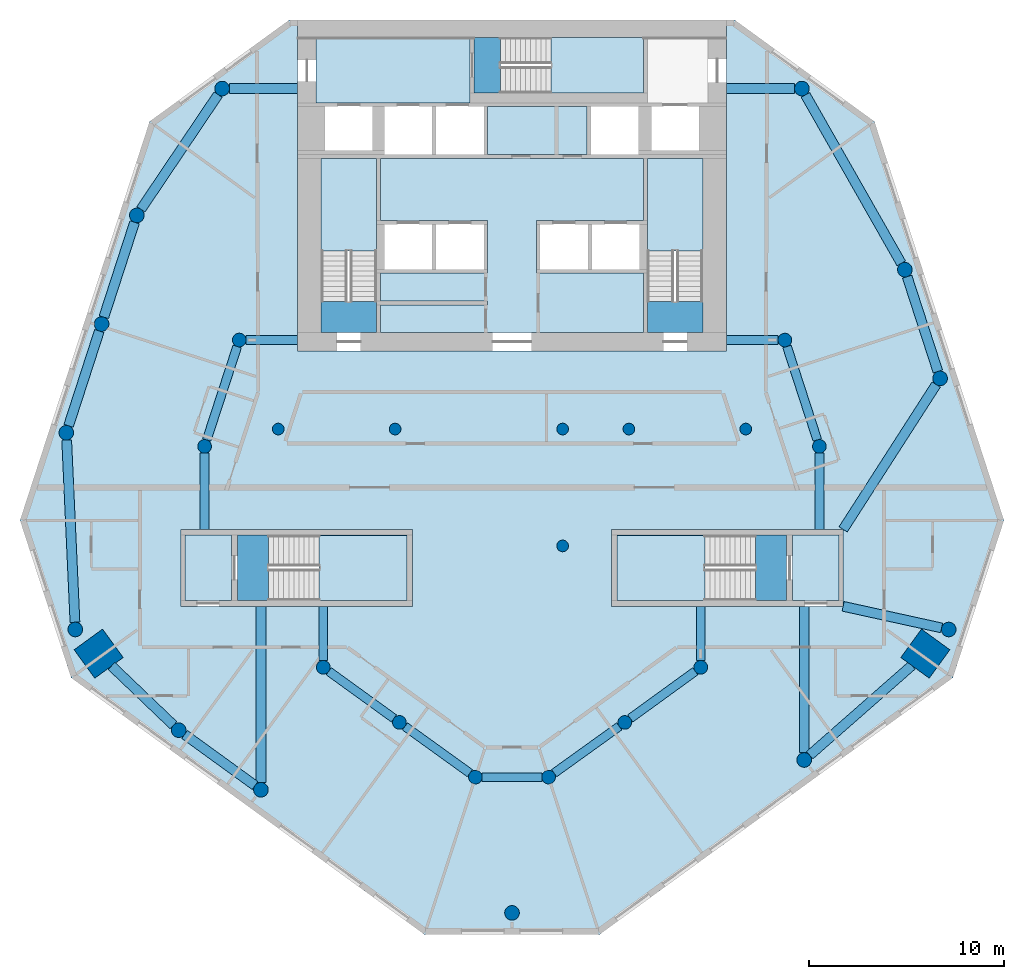
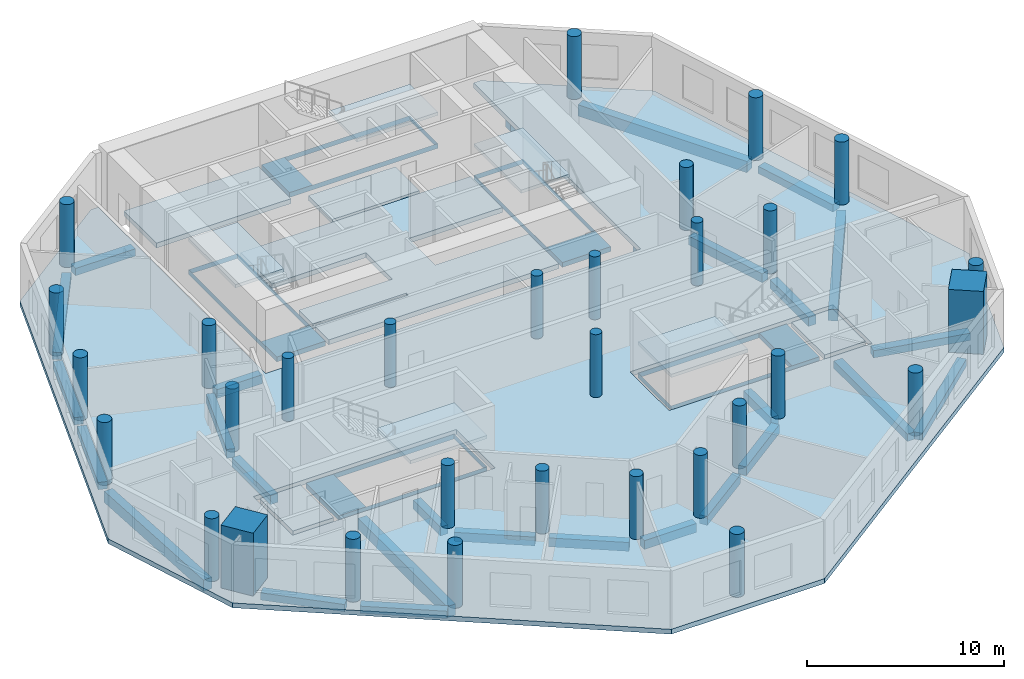
# One storey, part 1 of 9: 31 columns, 28 beams, 16 slabs, 5 elements without a shape of their own.
"""IFC4 building model written with IfcOpenShell, lengths in metres."""

from ifc_helpers import new_model, si_unit, direction, frame, origin, origin_2d, place, context, subcontext, project, spatial, polyline, rectangle, circle, outline, extrude, material, layer, layer_set, material_profile, profile_set, type_object, element, aggregate, save


model = new_model("IFC4")

# Units and contexts
model_context = context("Model", 3, precision=1e-05, world=origin(), true_north=direction((0.0, 1.0)))
body_context = subcontext(model_context, "Body", "Model", "MODEL_VIEW")
ifc_project = project(units=[si_unit("LENGTHUNIT", "METRE"), si_unit("AREAUNIT", "SQUARE_METRE"), si_unit("VOLUMEUNIT", "CUBIC_METRE"), si_unit("PLANEANGLEUNIT", "RADIAN"), si_unit("MASSUNIT", "GRAM", prefix="KILO")], contexts=[model_context])

# Site, building, storey
site_placement = place(None, origin())
site = spatial("IfcSite", under=ifc_project, at=site_placement, CompositionType="ELEMENT")
building_placement = place(site_placement, origin())
building = spatial("IfcBuilding", under=site, at=building_placement, Name="White Candle Pilgrim Tower", CompositionType="ELEMENT")
storey_placement = place(building_placement, frame((0.0, 0.0, 175.89990234375)))
storey = spatial("IfcBuildingStorey", under=building, at=storey_placement, Name="L40", CompositionType="ELEMENT", Elevation=175.89990234375)

# Columns
ifc_material_1 = material(Name="Concrete C70/85", Category="concrete")
ifc_material_profile_1 = material_profile(ifc_material_1, circle(Radius=0.300048828125, at=origin_2d()), Name="RC-COL D600")
ifc_profile_set_1 = profile_set([ifc_material_profile_1], Name="Concrete C70/85")
column_type_1 = type_object("IfcColumnType", Name="Interior column RC-COL D600 C70/85", PredefinedType="COLUMN", material=ifc_profile_set_1)
for number, where, z_axis, x_axis, name in (
    (1, (58.0, 67.0, 0.0), (0.0, 0.0, 1.0), (1.0, 0.0, 0.0), "L40 column I01"),
    (2, (64.0, 67.0, 0.0), (0.0, 0.0, 1.0), (1.0, 0.0, 0.0), "L40 column I02"),
    (3, (72.60009765625, 61.0, 0.0), (0.0, 0.0, 1.0), (1.0, 0.0, 0.0), "L40 column I03"),
    (4, (72.60009765625, 67.0, 0.0), (0.0, 0.0, 1.0), (1.0, 0.0, 0.0), "L40 column I04"),
    (5, (76.0, 67.0, 0.0), (0.0, 0.0, 1.0), (1.0, 0.0, 0.0), "L40 column I05"),
    (6, (82.0, 67.0, 0.0), (0.0, 0.0, 1.0), (1.0, 0.0, 0.0), "L40 column I06"),
):
    element("IfcColumn", number, at=place(storey_placement, frame(where, z_axis=z_axis, x_axis=x_axis)), inside=storey, type_object=column_type_1, Name=name, PredefinedType="COLUMN", context=body_context, shape_type="SweptSolid", body=[
        extrude(circle(Radius=0.300048828125, at=origin_2d()), origin(), (0.0, 0.0, 1.0), 3.900146484375),
    ])
ifc_material_profile_2 = material_profile(ifc_material_1, rectangle(XDim=1.800048828125, YDim=1.800048828125, at=origin_2d()), Name="RC 1800x1800")
ifc_profile_set_2 = profile_set([ifc_material_profile_2], Name="Concrete C70/85")
column_type_2 = type_object("IfcColumnType", Name="Mega column RC 1800x1800 C70/85", PredefinedType="COLUMN", material=ifc_profile_set_2)
for number, where, z_axis, x_axis, name in (
    (7, (48.780029296875, 55.469970703125, 0.0), (0.0, 0.0, 1.0), (-0.809016994375, -0.587785252292, 0.0), "L40 mega column T02"),
    (8, (91.219970703125, 55.469970703125, 0.0), (0.0, 0.0, 1.0), (0.809016994375, -0.587785252292, 0.0), "L40 mega column T07"),
):
    element("IfcColumn", number, at=place(storey_placement, frame(where, z_axis=z_axis, x_axis=x_axis)), inside=storey, type_object=column_type_2, Name=name, PredefinedType="COLUMN", context=body_context, shape_type="SweptSolid", body=[
        extrude(rectangle(XDim=1.800048828125, YDim=1.800048828125, at=origin_2d()), origin(), (0.0, 0.0, 1.0), 3.900146484375),
    ])
ifc_material_profile_3 = material_profile(ifc_material_1, circle(Radius=0.375, at=origin_2d()), Name="RC-COL D750")
ifc_profile_set_3 = profile_set([ifc_material_profile_3], Name="Concrete C70/85")
column_type_3 = type_object("IfcColumnType", Name="Perimeter column RC-COL D750 C70/85", PredefinedType="COLUMN", material=ifc_profile_set_3)
for number, where, z_axis, x_axis, name in (
    (9, (47.580078125, 56.7099609375, 0.0), (0.0, 0.0, 1.0), (1.0, 0.0, 0.0), "L40 column T01"),
    (10, (52.889892578125, 51.5400390625, 0.0), (0.0, 0.0, 1.0), (1.0, 0.0, 0.0), "L40 column T03"),
    (11, (57.110107421875, 48.47998046875, 0.0), (0.0, 0.0, 1.0), (1.0, 0.0, 0.0), "L40 column T04"),
    (12, (70.0, 42.159912109375, 0.0), (0.0, 0.0, 1.0), (1.0, 0.0, 0.0), "L40 column T05"),
    (13, (85.0, 50.010009765625, 0.0), (0.0, 0.0, 1.0), (1.0, 0.0, 0.0), "L40 column T06"),
    (14, (92.419921875, 56.7099609375, 0.0), (0.0, 0.0, 1.0), (1.0, 0.0, 0.0), "L40 column T08"),
    (15, (91.97998046875, 69.60009765625, 0.0), (0.0, 0.0, 1.0), (1.0, 0.0, 0.0), "L40 column T09"),
    (16, (90.169921875, 75.179931640625, 0.0), (0.0, 0.0, 1.0), (1.0, 0.0, 0.0), "L40 column T10"),
    (17, (84.8798828125, 84.47998046875, 0.0), (0.0, 0.0, 1.0), (1.0, 0.0, 0.0), "L40 column T11"),
    (18, (55.1201171875, 84.47998046875, 0.0), (0.0, 0.0, 1.0), (1.0, 0.0, 0.0), "L40 column T12"),
    (19, (50.739990234375, 77.969970703125, 0.0), (0.0, 0.0, 1.0), (1.0, 0.0, 0.0), "L40 column T13"),
    (20, (48.929931640625, 72.389892578125, 0.0), (0.0, 0.0, 1.0), (1.0, 0.0, 0.0), "L40 column T14"),
    (21, (47.1201171875, 66.81005859375, 0.0), (0.0, 0.0, 1.0), (1.0, 0.0, 0.0), "L40 column T15"),
):
    element("IfcColumn", number, at=place(storey_placement, frame(where, z_axis=z_axis, x_axis=x_axis)), inside=storey, type_object=column_type_3, Name=name, PredefinedType="COLUMN", context=body_context, shape_type="SweptSolid", body=[
        extrude(circle(Radius=0.375, at=origin_2d()), origin(), (0.0, 0.0, 1.0), 3.900146484375),
    ])
ifc_material_profile_4 = material_profile(ifc_material_1, circle(Radius=0.35009765625, at=origin_2d()), Name="RC-COL D700")
ifc_profile_set_4 = profile_set([ifc_material_profile_4], Name="Concrete C70/85")
column_type_4 = type_object("IfcColumnType", Name="Ring column RC-COL D700 C70/85", PredefinedType="COLUMN", material=ifc_profile_set_4)
for number, where, z_axis, x_axis, name in (
    (22, (60.31005859375, 54.77001953125, 0.0), (0.0, 0.0, 1.0), (1.0, 0.0, 0.0), "L40 column R01"),
    (23, (64.219970703125, 51.93994140625, 0.0), (0.0, 0.0, 1.0), (1.0, 0.0, 0.0), "L40 column R02"),
    (24, (68.1201171875, 49.1298828125, 0.0), (0.0, 0.0, 1.0), (1.0, 0.0, 0.0), "L40 column R03"),
    (25, (71.8798828125, 49.1298828125, 0.0), (0.0, 0.0, 1.0), (1.0, 0.0, 0.0), "L40 column R04"),
    (26, (75.7900390625, 51.93994140625, 0.0), (0.0, 0.0, 1.0), (1.0, 0.0, 0.0), "L40 column R05"),
    (27, (79.68994140625, 54.77001953125, 0.0), (0.0, 0.0, 1.0), (1.0, 0.0, 0.0), "L40 column R06"),
    (28, (85.780029296875, 66.110107421875, 0.0), (0.0, 0.0, 1.0), (1.0, 0.0, 0.0), "L40 column R07"),
    (29, (84.010009765625, 71.570068359375, 0.0), (0.0, 0.0, 1.0), (1.0, 0.0, 0.0), "L40 column R08"),
    (30, (56.0, 71.570068359375, 0.0), (0.0, 0.0, 1.0), (1.0, 0.0, 0.0), "L40 column R09"),
    (31, (54.219970703125, 66.110107421875, 0.0), (0.0, 0.0, 1.0), (1.0, 0.0, 0.0), "L40 column R10"),
):
    element("IfcColumn", number, at=place(storey_placement, frame(where, z_axis=z_axis, x_axis=x_axis)), inside=storey, type_object=column_type_4, Name=name, PredefinedType="COLUMN", context=body_context, shape_type="SweptSolid", body=[
        extrude(circle(Radius=0.35009765625, at=origin_2d()), origin(), (0.0, 0.0, 1.0), 3.900146484375),
    ])

# Beams
ifc_material_2 = material(Name="Concrete C50/60", Category="concrete")
ifc_material_profile_5 = material_profile(ifc_material_2, rectangle(XDim=0.449951171875, YDim=0.550048828125, at=origin_2d()), Name="RC-BM 450x550")
ifc_profile_set_5 = profile_set([ifc_material_profile_5], Name="Concrete C50/60")
beam_type_1 = type_object("IfcBeamType", Name="Ring beam RC-BM 450x550 C50/60", PredefinedType="BEAM", material=ifc_profile_set_5)
beam_1_placement = place(storey_placement, frame((60.593505859375, 54.56494140625, -0.574951171875), z_axis=(0.810043858436, -0.586369292691, 0.0), x_axis=(0.586369292691, 0.810043858436, 0.0)))
element("IfcBeam", 32, at=beam_1_placement, inside=storey, type_object=beam_type_1, Name="L40 ring beam R01", PredefinedType="BEAM", context=body_context, shape_type="SweptSolid", body=[
    extrude(rectangle(XDim=0.449951171875, YDim=0.550048828125, at=origin_2d()), origin(), (0.0, 0.0, 1.0), 4.126953125),
])
beam_2_placement = place(storey_placement, frame((64.50390625, 51.735595703125, -0.574951171875), z_axis=(0.811316688041, -0.584606903574, 0.0), x_axis=(0.584606903574, 0.811316688041, 0.0)))
element("IfcBeam", 33, at=beam_2_placement, inside=storey, type_object=beam_type_1, Name="L40 ring beam R02", PredefinedType="BEAM", context=body_context, shape_type="SweptSolid", body=[
    extrude(rectangle(XDim=0.449951171875, YDim=0.550048828125, at=origin_2d()), origin(), (0.0, 0.0, 1.0), 4.107177734375),
])
beam_3_placement = place(storey_placement, frame((68.469970703125, 49.1298828125, -0.574951171875), z_axis=(1.0, 0.0, 0.0), x_axis=(0.0, 1.0, 0.0)))
element("IfcBeam", 34, at=beam_3_placement, inside=storey, type_object=beam_type_1, Name="L40 ring beam R03", PredefinedType="BEAM", context=body_context, shape_type="SweptSolid", body=[
    extrude(rectangle(XDim=0.449951171875, YDim=0.550048828125, at=origin_2d()), origin(), (0.0, 0.0, 1.0), 3.06005859375),
])
beam_4_placement = place(storey_placement, frame((72.1640625, 49.333984375, -0.574951171875), z_axis=(0.812022399974, 0.583626269063, 0.0), x_axis=(-0.583626269063, 0.812022399974, 0.0)))
element("IfcBeam", 35, at=beam_4_placement, inside=storey, type_object=beam_type_1, Name="L40 ring beam R04", PredefinedType="BEAM", context=body_context, shape_type="SweptSolid", body=[
    extrude(rectangle(XDim=0.449951171875, YDim=0.550048828125, at=origin_2d()), origin(), (0.0, 0.0, 1.0), 4.115478515625),
])
beam_5_placement = place(storey_placement, frame((76.072998046875, 52.1455078125, -0.574951171875), z_axis=(0.809401961177, 0.587255025728, 0.0), x_axis=(-0.587255025728, 0.809401961177, 0.0)))
element("IfcBeam", 36, at=beam_5_placement, inside=storey, type_object=beam_type_1, Name="L40 ring beam R05", PredefinedType="BEAM", context=body_context, shape_type="SweptSolid", body=[
    extrude(rectangle(XDim=0.449951171875, YDim=0.550048828125, at=origin_2d()), origin(), (0.0, 0.0, 1.0), 4.119140625),
])
beam_6_placement = place(storey_placement, frame((79.68994140625, 55.1201171875, -0.574951171875), z_axis=(0.0, 1.0, 0.0), x_axis=(-1.0, 0.0, 0.0)))
element("IfcBeam", 37, at=beam_6_placement, inside=storey, type_object=beam_type_1, Name="L40 ring beam R06", PredefinedType="BEAM", context=body_context, shape_type="SweptSolid", body=[
    extrude(rectangle(XDim=0.449951171875, YDim=0.550048828125, at=origin_2d()), origin(), (0.0, 0.0, 1.0), 2.77978515625),
])
beam_7_placement = place(storey_placement, frame((85.780029296875, 65.760009765625, -0.574951171875), z_axis=(0.0, -1.0, 0.0), x_axis=(1.0, 0.0, 0.0)))
element("IfcBeam", 38, at=beam_7_placement, inside=storey, type_object=beam_type_1, Name="L40 ring beam R07", PredefinedType="BEAM", context=body_context, shape_type="SweptSolid", body=[
    extrude(rectangle(XDim=0.449951171875, YDim=0.550048828125, at=origin_2d()), origin(), (0.0, 0.0, 1.0), 3.909912109375),
])
beam_8_placement = place(storey_placement, frame((85.672119140625, 66.44287109375, -0.574951171875), z_axis=(-0.308369651752, 0.95126660715, 0.0), x_axis=(-0.95126660715, -0.308369651752, 0.0)))
element("IfcBeam", 39, at=beam_8_placement, inside=storey, type_object=beam_type_1, Name="L40 ring beam R08", PredefinedType="BEAM", context=body_context, shape_type="SweptSolid", body=[
    extrude(rectangle(XDim=0.449951171875, YDim=0.550048828125, at=origin_2d()), origin(), (0.0, 0.0, 1.0), 5.0400390625),
])
beam_9_placement = place(storey_placement, frame((83.659912109375, 71.570068359375, -0.574951171875), z_axis=(-1.0, 0.0, 0.0), x_axis=(0.0, -1.0, 0.0)))
element("IfcBeam", 40, at=beam_9_placement, inside=storey, type_object=beam_type_1, Name="L40 ring beam R09", PredefinedType="BEAM", context=body_context, shape_type="SweptSolid", body=[
    extrude(rectangle(XDim=0.449951171875, YDim=0.550048828125, at=origin_2d()), origin(), (0.0, 0.0, 1.0), 2.659912109375),
])
beam_10_placement = place(storey_placement, frame((56.35009765625, 71.570068359375, -0.574951171875), z_axis=(1.0, 0.0, 0.0), x_axis=(0.0, 1.0, 0.0)))
element("IfcBeam", 41, at=beam_10_placement, inside=storey, type_object=beam_type_1, Name="L40 ring beam R10", PredefinedType="BEAM", context=body_context, shape_type="SweptSolid", body=[
    extrude(rectangle(XDim=0.449951171875, YDim=0.550048828125, at=origin_2d()), origin(), (0.0, 0.0, 1.0), 2.64990234375),
])
beam_11_placement = place(storey_placement, frame((55.8916015625, 71.2373046875, -0.574951171875), z_axis=(-0.309975890104, -0.950744417577, 0.0), x_axis=(0.950744417577, -0.309975890104, 0.0)))
element("IfcBeam", 42, at=beam_11_placement, inside=storey, type_object=beam_type_1, Name="L40 ring beam R11", PredefinedType="BEAM", context=body_context, shape_type="SweptSolid", body=[
    extrude(rectangle(XDim=0.449951171875, YDim=0.550048828125, at=origin_2d()), origin(), (0.0, 0.0, 1.0), 5.04296875),
])
beam_12_placement = place(storey_placement, frame((54.219970703125, 65.760009765625, -0.574951171875), z_axis=(0.0, -1.0, 0.0), x_axis=(1.0, 0.0, 0.0)))
element("IfcBeam", 43, at=beam_12_placement, inside=storey, type_object=beam_type_1, Name="L40 ring beam R12", PredefinedType="BEAM", context=body_context, shape_type="SweptSolid", body=[
    extrude(rectangle(XDim=0.449951171875, YDim=0.550048828125, at=origin_2d()), origin(), (0.0, 0.0, 1.0), 3.909912109375),
])
beam_13_placement = place(storey_placement, frame((60.31005859375, 55.1201171875, -0.574951171875), z_axis=(0.0, 1.0, 0.0), x_axis=(-1.0, 0.0, 0.0)))
element("IfcBeam", 44, at=beam_13_placement, inside=storey, type_object=beam_type_1, Name="L40 ring beam R13", PredefinedType="BEAM", context=body_context, shape_type="SweptSolid", body=[
    extrude(rectangle(XDim=0.449951171875, YDim=0.550048828125, at=origin_2d()), origin(), (0.0, 0.0, 1.0), 2.77978515625),
])
ifc_material_profile_6 = material_profile(ifc_material_2, rectangle(XDim=0.5, YDim=0.449951171875, at=origin_2d()), Name="RC-BM 500x450")
ifc_profile_set_6 = profile_set([ifc_material_profile_6], Name="Concrete C50/60")
beam_type_2 = type_object("IfcBeamType", Name="Spandrel beam RC-BM 500x450 C50/60", PredefinedType="BEAM", material=ifc_profile_set_6)
beam_14_placement = place(storey_placement, frame((49.441162109375, 54.837890625, -0.52490234375), z_axis=(0.722753991569, -0.691105395487, 0.0), x_axis=(0.691105395487, 0.722753991569, 0.0)))
element("IfcBeam", 45, at=beam_14_placement, inside=storey, type_object=beam_type_2, Name="L40 spandrel beam T01", PredefinedType="BEAM", context=body_context, shape_type="SweptSolid", body=[
    extrude(rectangle(XDim=0.5, YDim=0.449951171875, at=origin_2d()), origin(), (0.0, 0.0, 1.0), 4.39697265625),
])
beam_15_placement = place(storey_placement, frame((53.193359375, 51.320068359375, -0.52490234375), z_axis=(0.809558451789, -0.587039277338, 0.0), x_axis=(0.587039277338, 0.809558451789, 0.0)))
element("IfcBeam", 46, at=beam_15_placement, inside=storey, type_object=beam_type_2, Name="L40 spandrel beam T02", PredefinedType="BEAM", context=body_context, shape_type="SweptSolid", body=[
    extrude(rectangle(XDim=0.5, YDim=0.449951171875, at=origin_2d()), origin(), (0.0, 0.0, 1.0), 4.46337890625),
])
beam_16_placement = place(storey_placement, frame((85.0, 50.385009765625, -0.52490234375), z_axis=(0.0, 1.0, 0.0), x_axis=(-1.0, 0.0, 0.0)))
element("IfcBeam", 47, at=beam_16_placement, inside=storey, type_object=beam_type_2, Name="L40 spandrel beam T04", PredefinedType="BEAM", context=body_context, shape_type="SweptSolid", body=[
    extrude(rectangle(XDim=0.5, YDim=0.449951171875, at=origin_2d()), origin(), (0.0, 0.0, 1.0), 7.514892578125),
])
beam_17_placement = place(storey_placement, frame((85.28173828125, 50.25732421875, -0.52490234375), z_axis=(0.751529055224, 0.65969999178, 0.0), x_axis=(-0.65969999178, 0.751529055224, 0.0)))
element("IfcBeam", 48, at=beam_17_placement, inside=storey, type_object=beam_type_2, Name="L40 spandrel beam T05", PredefinedType="BEAM", context=body_context, shape_type="SweptSolid", body=[
    extrude(rectangle(XDim=0.5, YDim=0.449951171875, at=origin_2d()), origin(), (0.0, 0.0, 1.0), 6.97900390625),
])
beam_18_placement = place(storey_placement, frame((92.053955078125, 56.790283203125, -0.52490234375), z_axis=(-0.976735666267, 0.214446819148, 0.0), x_axis=(-0.214446819148, -0.976735666267, 0.0)))
element("IfcBeam", 49, at=beam_18_placement, inside=storey, type_object=beam_type_2, Name="L40 spandrel beam T06", PredefinedType="BEAM", context=body_context, shape_type="SweptSolid", body=[
    extrude(rectangle(XDim=0.5, YDim=0.449951171875, at=origin_2d()), origin(), (0.0, 0.0, 1.0), 5.17431640625),
])
beam_19_placement = place(storey_placement, frame((91.8642578125, 69.95654296875, -0.52490234375), z_axis=(-0.308530369215, 0.951214492779, 0.0), x_axis=(-0.951214492779, -0.308530369215, 0.0)))
element("IfcBeam", 50, at=beam_19_placement, inside=storey, type_object=beam_type_2, Name="L40 spandrel beam T08", PredefinedType="BEAM", context=body_context, shape_type="SweptSolid", body=[
    extrude(rectangle(XDim=0.5, YDim=0.449951171875, at=origin_2d()), origin(), (0.0, 0.0, 1.0), 5.116455078125),
])
for number, where, z_axis, x_axis, name in (
    (51, (84.5048828125, 84.47998046875, -0.52490234375), (-1.0, 0.0, 0.0), (0.0, -1.0, 0.0), "L40 spandrel beam T10"),
    (52, (55.4951171875, 84.47998046875, -0.52490234375), (1.0, 0.0, 0.0), (0.0, 1.0, 0.0), "L40 spandrel beam T11"),
):
    element("IfcBeam", number, at=place(storey_placement, frame(where, z_axis=z_axis, x_axis=x_axis)), inside=storey, type_object=beam_type_2, Name=name, PredefinedType="BEAM", context=body_context, shape_type="SweptSolid", body=[
        extrude(rectangle(XDim=0.5, YDim=0.449951171875, at=origin_2d()), origin(), (0.0, 0.0, 1.0), 3.5048828125),
    ])
beam_20_placement = place(storey_placement, frame((54.91064453125, 84.1689453125, -0.52490234375), z_axis=(-0.55822018442, -0.82969285022, 0.0), x_axis=(0.82969285022, -0.55822018442, 0.0)))
element("IfcBeam", 53, at=beam_20_placement, inside=storey, type_object=beam_type_2, Name="L40 spandrel beam T12", PredefinedType="BEAM", context=body_context, shape_type="SweptSolid", body=[
    extrude(rectangle(XDim=0.5, YDim=0.449951171875, at=origin_2d()), origin(), (0.0, 0.0, 1.0), 7.096435546875),
])
beam_21_placement = place(storey_placement, frame((50.624267578125, 77.61328125, -0.52490234375), z_axis=(-0.308544373382, -0.951209950355, 0.0), x_axis=(0.951209950355, -0.308544373382, 0.0)))
element("IfcBeam", 54, at=beam_21_placement, inside=storey, type_object=beam_type_2, Name="L40 spandrel beam T13", PredefinedType="BEAM", context=body_context, shape_type="SweptSolid", body=[
    extrude(rectangle(XDim=0.5, YDim=0.449951171875, at=origin_2d()), origin(), (0.0, 0.0, 1.0), 5.1162109375),
])
beam_22_placement = place(storey_placement, frame((48.814208984375, 72.033447265625, -0.52490234375), z_axis=(-0.308530369215, -0.951214492779, 0.0), x_axis=(0.951214492779, -0.308530369215, 0.0)))
element("IfcBeam", 55, at=beam_22_placement, inside=storey, type_object=beam_type_2, Name="L40 spandrel beam T14", PredefinedType="BEAM", context=body_context, shape_type="SweptSolid", body=[
    extrude(rectangle(XDim=0.5, YDim=0.449951171875, at=origin_2d()), origin(), (0.0, 0.0, 1.0), 5.116455078125),
])
ifc_material_profile_7 = material_profile(ifc_material_2, rectangle(XDim=0.5, YDim=0.699951171875, at=origin_2d()), Name="RC-BM 500x700")
ifc_profile_set_7 = profile_set([ifc_material_profile_7], Name="Concrete C50/60")
beam_type_3 = type_object("IfcBeamType", Name="Spandrel beam RC-BM 500x700 C50/60", PredefinedType="BEAM", material=ifc_profile_set_7)
beam_23_placement = place(storey_placement, frame((57.110107421875, 48.85498046875, -0.64990234375), z_axis=(0.0, 1.0, 0.0), x_axis=(-1.0, 0.0, 0.0)))
element("IfcBeam", 56, at=beam_23_placement, inside=storey, type_object=beam_type_3, Name="L40 spandrel beam T03", PredefinedType="BEAM", context=body_context, shape_type="SweptSolid", body=[
    extrude(rectangle(XDim=0.5, YDim=0.699951171875, at=origin_2d()), origin(), (0.0, 0.0, 1.0), 9.044921875),
])
beam_24_placement = place(storey_placement, frame((91.77734375, 69.28466796875, -0.64990234375), z_axis=(-0.540595612128, -0.841282582815, 0.0), x_axis=(0.841282582815, -0.540595612128, 0.0)))
element("IfcBeam", 57, at=beam_24_placement, inside=storey, type_object=beam_type_3, Name="L40 spandrel beam T07", PredefinedType="BEAM", context=body_context, shape_type="SweptSolid", body=[
    extrude(rectangle(XDim=0.5, YDim=0.699951171875, at=origin_2d()), origin(), (0.0, 0.0, 1.0), 8.837158203125),
])
beam_25_placement = place(storey_placement, frame((89.984619140625, 75.505859375, -0.64990234375), z_axis=(-0.494422929515, 0.869221471646, 0.0), x_axis=(-0.869221471646, -0.494422929515, 0.0)))
element("IfcBeam", 58, at=beam_25_placement, inside=storey, type_object=beam_type_3, Name="L40 spandrel beam T09", PredefinedType="BEAM", context=body_context, shape_type="SweptSolid", body=[
    extrude(rectangle(XDim=0.5, YDim=0.699951171875, at=origin_2d()), origin(), (0.0, 0.0, 1.0), 9.949462890625),
])
beam_26_placement = place(storey_placement, frame((47.13720703125, 66.435546875, -0.64990234375), z_axis=(0.045485743277, -0.998964987954, 0.0), x_axis=(0.998964987954, 0.045485743277, 0.0)))
element("IfcBeam", 59, at=beam_26_placement, inside=storey, type_object=beam_type_3, Name="L40 spandrel beam T15", PredefinedType="BEAM", context=body_context, shape_type="SweptSolid", body=[
    extrude(rectangle(XDim=0.5, YDim=0.699951171875, at=origin_2d()), origin(), (0.0, 0.0, 1.0), 9.36083984375),
])

# Slabs
ifc_material_3 = material(Name="Concrete C40/50", Category="concrete")
ifc_layer_1 = layer(ifc_material_3, 0.300048828125)
ifc_layer_set_1 = layer_set([ifc_layer_1], Name="Core floor slab 300 mm Concrete C40/50")
slab_type_1 = type_object("IfcSlabType", Name="Core floor slab 300 mm Concrete C40/50", PredefinedType="FLOOR", material=ifc_layer_set_1)
slab_1_placement = place(storey_placement, frame((0.0, 0.0, -0.2998046875)))
element("IfcSlab", 60, at=slab_1_placement, inside=storey, type_object=slab_type_1, Name="CF-L40-01", PredefinedType="FLOOR", context=body_context, shape_type="SweptSolid", body=[
    extrude(outline(polyline([(55.60009765625, 58.199951171875), (53.199951171875, 58.199951171875), (53.199951171875, 61.550048828125), (55.60009765625, 61.550048828125), (55.60009765625, 58.199951171875)])), origin(), (0.0, 0.0, 1.0), 0.2998046875),
])
slab_2_placement = place(storey_placement, frame((0.0, 0.0, -0.2998046875)))
element("IfcSlab", 61, at=slab_2_placement, inside=storey, type_object=slab_type_1, Name="CF-L40-02", PredefinedType="FLOOR", context=body_context, shape_type="SweptSolid", body=[
    extrude(outline(polyline([(55.89990234375, 58.199951171875), (55.89990234375, 61.550048828125), (64.60009765625, 61.550048828125), (64.60009765625, 58.199951171875), (55.89990234375, 58.199951171875)]), holes=[polyline([(57.501953125, 61.548095703125), (57.501953125, 58.201904296875), (64.597900390625, 58.201904296875), (64.597900390625, 61.548095703125), (57.501953125, 61.548095703125)])]), origin(), (0.0, 0.0, 1.0), 0.2998046875),
])
slab_3_placement = place(storey_placement, frame((0.0, 0.0, -0.2998046875)))
element("IfcSlab", 62, at=slab_3_placement, inside=storey, type_object=slab_type_1, Name="CF-L40-03", PredefinedType="FLOOR", context=body_context, shape_type="SweptSolid", body=[
    extrude(outline(polyline([(75.39990234375, 58.199951171875), (75.39990234375, 61.550048828125), (84.10009765625, 61.550048828125), (84.10009765625, 58.199951171875), (75.39990234375, 58.199951171875)]), holes=[polyline([(82.498046875, 58.201904296875), (82.498046875, 61.548095703125), (75.402099609375, 61.548095703125), (75.402099609375, 58.201904296875), (82.498046875, 58.201904296875)])]), origin(), (0.0, 0.0, 1.0), 0.2998046875),
])
slab_4_placement = place(storey_placement, frame((0.0, 0.0, -0.2998046875)))
element("IfcSlab", 63, at=slab_4_placement, inside=storey, type_object=slab_type_1, Name="CF-L40-04", PredefinedType="FLOOR", context=body_context, shape_type="SweptSolid", body=[
    extrude(outline(polyline([(86.800048828125, 58.199951171875), (84.39990234375, 58.199951171875), (84.39990234375, 61.550048828125), (86.800048828125, 61.550048828125), (86.800048828125, 58.199951171875)])), origin(), (0.0, 0.0, 1.0), 0.2998046875),
])
slab_5_placement = place(storey_placement, frame((0.0, 0.0, -0.2998046875)))
element("IfcSlab", 64, at=slab_5_placement, inside=storey, type_object=slab_type_1, Name="CF-L40-05", PredefinedType="FLOOR", context=body_context, shape_type="SweptSolid", body=[
    extrude(outline(polyline([(76.75, 87.10009765625), (76.75, 87.050048828125), (76.75, 84.25), (68.050048828125, 84.25), (68.050048828125, 87.050048828125), (68.050048828125, 87.10009765625), (76.75, 87.10009765625)]), holes=[polyline([(69.402099609375, 87.097900390625), (69.402099609375, 84.251953125), (76.748046875, 84.251953125), (76.748046875, 87.097900390625), (69.402099609375, 87.097900390625)])]), origin(), (0.0, 0.0, 1.0), 0.2998046875),
])
slab_6_placement = place(storey_placement, frame((0.0, 0.0, -0.2998046875)))
element("IfcSlab", 65, at=slab_6_placement, inside=storey, type_object=slab_type_1, Name="CF-L40-07", PredefinedType="FLOOR", context=body_context, shape_type="SweptSolid", body=[
    extrude(outline(polyline([(76.949951171875, 71.949951171875), (76.949951171875, 75.0), (76.949951171875, 75.199951171875), (76.949951171875, 77.5), (76.949951171875, 77.699951171875), (76.949951171875, 80.89990234375), (79.800048828125, 80.89990234375), (79.800048828125, 71.949951171875), (76.949951171875, 71.949951171875)]), holes=[polyline([(76.951904296875, 73.552001953125), (79.798095703125, 73.552001953125), (79.798095703125, 80.89794921875), (76.951904296875, 80.89794921875), (76.951904296875, 73.552001953125)])]), origin(), (0.0, 0.0, 1.0), 0.2998046875),
])
slab_7_placement = place(storey_placement, frame((0.0, 0.0, -0.2998046875)))
element("IfcSlab", 66, at=slab_7_placement, inside=storey, type_object=slab_type_1, Name="CF-L40-08", PredefinedType="FLOOR", context=body_context, shape_type="SweptSolid", body=[
    extrude(outline(polyline([(63.25, 71.949951171875), (63.25, 73.375), (68.75, 73.375), (68.75, 73.574951171875), (63.25, 73.574951171875), (63.25, 75.0), (68.75, 75.0), (68.75, 75.199951171875), (68.75, 77.5), (68.75, 77.699951171875), (63.25, 77.699951171875), (63.25, 80.89990234375), (76.75, 80.89990234375), (76.75, 77.699951171875), (71.25, 77.699951171875), (71.25, 77.5), (71.25, 75.199951171875), (71.25, 75.0), (76.75, 75.0), (76.75, 71.949951171875), (63.25, 71.949951171875)])), origin(), (0.0, 0.0, 1.0), 0.2998046875),
])
slab_8_placement = place(storey_placement, frame((0.0, 0.0, -0.2998046875)))
element("IfcSlab", 67, at=slab_8_placement, inside=storey, type_object=slab_type_1, Name="CF-L40-09", PredefinedType="FLOOR", context=body_context, shape_type="SweptSolid", body=[
    extrude(outline(polyline([(60.199951171875, 71.949951171875), (60.199951171875, 80.89990234375), (63.050048828125, 80.89990234375), (63.050048828125, 77.699951171875), (63.050048828125, 77.5), (63.050048828125, 75.199951171875), (63.050048828125, 75.0), (63.050048828125, 73.574951171875), (63.050048828125, 73.375), (63.050048828125, 71.949951171875), (60.199951171875, 71.949951171875)]), holes=[polyline([(60.201904296875, 73.552001953125), (63.048095703125, 73.552001953125), (63.048095703125, 80.89794921875), (60.201904296875, 80.89794921875), (60.201904296875, 73.552001953125)])]), origin(), (0.0, 0.0, 1.0), 0.2998046875),
])
slab_9_placement = place(storey_placement, frame((0.0, 0.0, -0.2998046875)))
element("IfcSlab", 68, at=slab_9_placement, inside=storey, type_object=slab_type_1, Name="CF-L40-10", PredefinedType="FLOOR", context=body_context, shape_type="SweptSolid", body=[
    extrude(outline(polyline([(59.949951171875, 87.050048828125), (67.85009765625, 87.050048828125), (67.85009765625, 84.25), (67.85009765625, 83.75), (59.949951171875, 83.75), (59.949951171875, 87.050048828125)])), origin(), (0.0, 0.0, 1.0), 0.2998046875),
])
slab_10_placement = place(storey_placement, frame((0.0, 0.0, -0.2998046875)))
element("IfcSlab", 69, at=slab_10_placement, inside=storey, type_object=slab_type_1, Name="CF-L40-11", PredefinedType="FLOOR", context=body_context, shape_type="SweptSolid", body=[
    extrude(outline(polyline([(73.85009765625, 83.550048828125), (73.85009765625, 81.10009765625), (68.75, 81.10009765625), (68.75, 83.550048828125), (73.85009765625, 83.550048828125)])), origin(), (0.0, 0.0, 1.0), 0.2998046875),
])
ifc_layer_2 = layer(ifc_material_3, 0.300048828125)
ifc_layer_set_2 = layer_set([ifc_layer_2], Name="Floor slab 300 REI 120")
slab_type_2 = type_object("IfcSlabType", Name="Floor slab 300 REI 120", PredefinedType="FLOOR", material=ifc_layer_set_2)
slab_11_placement = place(storey_placement, frame((0.0, 0.0, -0.2998046875)))
element("IfcSlab", 70, at=slab_11_placement, inside=storey, type_object=slab_type_2, Name="L40 floor slab", PredefinedType="FLOOR", context=body_context, shape_type="SweptSolid", body=[
    extrude(outline(polyline([(65.504150390625, 41.052978515625), (74.495849609375, 41.052978515625), (92.63134765625, 54.229248046875), (95.25830078125, 62.314453125), (88.604736328125, 82.79248046875), (81.43701171875, 88.0), (81.0, 88.0), (81.0, 71.0), (59.0, 71.0), (59.0, 88.0), (58.56298828125, 88.0), (51.395263671875, 82.79248046875), (44.74169921875, 62.314453125), (47.36865234375, 54.229248046875), (65.504150390625, 41.052978515625)]), holes=[polyline([(53.0, 57.89990234375), (53.0, 61.85009765625), (64.89990234375, 61.85009765625), (64.89990234375, 57.89990234375), (53.0, 57.89990234375)]), polyline([(75.10009765625, 57.89990234375), (75.10009765625, 61.85009765625), (87.0, 61.85009765625), (87.0, 57.89990234375), (75.10009765625, 57.89990234375)])]), origin(), (0.0, 0.0, 1.0), 0.2998046875),
])

# Stair, slab
stair_type_1 = type_object("IfcStairType", Name="Exit stair 1 flight width 1350 mm", PredefinedType="HALF_TURN_STAIR", material=ifc_material_3)
stair_1_placement = place(storey_placement, origin())
stair_1 = element("IfcStair", 71, at=stair_1_placement, inside=storey, type_object=stair_type_1, Name="L40 stair 1", PredefinedType="NOTDEFINED")
ifc_layer_3 = layer(ifc_material_3, 0.199951171875)
ifc_layer_set_3 = layer_set([ifc_layer_3], Name="Stair landing Concrete C40/50")
slab_type_3 = type_object("IfcSlabType", Name="Stair landing Concrete C40/50", PredefinedType="LANDING", material=ifc_layer_set_3)
slab_12_placement = place(storey_placement, frame((0.0, 0.0, 1.75)))
slab_12 = element("IfcSlab", 72, at=slab_12_placement, type_object=slab_type_3, Name="ST1 landing 1", PredefinedType="LANDING", context=body_context, shape_type="SweptSolid", body=[
    extrude(outline(polyline([(63.052001953125, 76.14794921875), (60.197998046875, 76.14794921875), (60.197998046875, 80.902099609375), (63.052001953125, 80.902099609375), (63.052001953125, 76.14794921875)])), origin(), (0.0, 0.0, 1.0), 0.2001953125),
])
aggregate(stair_1, [slab_12])

stair_type_2 = type_object("IfcStairType", Name="Exit stair 2 flight width 1350 mm", PredefinedType="HALF_TURN_STAIR", material=ifc_material_3)
stair_2_placement = place(storey_placement, origin())
stair_2 = element("IfcStair", 73, at=stair_2_placement, inside=storey, type_object=stair_type_2, Name="L40 stair 2", PredefinedType="NOTDEFINED")
slab_13_placement = place(storey_placement, frame((0.0, 0.0, 1.75)))
slab_13 = element("IfcSlab", 74, at=slab_13_placement, type_object=slab_type_3, Name="ST2 landing 1", PredefinedType="LANDING", context=body_context, shape_type="SweptSolid", body=[
    extrude(outline(polyline([(79.802001953125, 76.14794921875), (76.947998046875, 76.14794921875), (76.947998046875, 80.902099609375), (79.802001953125, 80.902099609375), (79.802001953125, 76.14794921875)])), origin(), (0.0, 0.0, 1.0), 0.2001953125),
])
aggregate(stair_2, [slab_13])

stair_type_3 = type_object("IfcStairType", Name="Exit stair 3 flight width 1350 mm", PredefinedType="HALF_TURN_STAIR", material=ifc_material_3)
stair_3_placement = place(storey_placement, origin())
stair_3 = element("IfcStair", 75, at=stair_3_placement, inside=storey, type_object=stair_type_3, Name="L40 stair 3", PredefinedType="NOTDEFINED")
slab_14_placement = place(storey_placement, frame((0.0, 0.0, 1.75)))
slab_14 = element("IfcSlab", 76, at=slab_14_placement, type_object=slab_type_3, Name="ST3 landing 1", PredefinedType="LANDING", context=body_context, shape_type="SweptSolid", body=[
    extrude(outline(polyline([(71.998046875, 84.248046875), (71.998046875, 87.10205078125), (76.751953125, 87.10205078125), (76.751953125, 84.248046875), (71.998046875, 84.248046875)])), origin(), (0.0, 0.0, 1.0), 0.2001953125),
])
aggregate(stair_3, [slab_14])

stair_type_4 = type_object("IfcStairType", Name="Exit stair 4 flight width 1600 mm", PredefinedType="HALF_TURN_STAIR", material=ifc_material_3)
stair_4_placement = place(storey_placement, origin())
stair_4 = element("IfcStair", 77, at=stair_4_placement, inside=storey, type_object=stair_type_4, Name="L40 stair 4", PredefinedType="NOTDEFINED")
slab_15_placement = place(storey_placement, frame((0.0, 0.0, 1.75)))
slab_15 = element("IfcSlab", 78, at=slab_15_placement, type_object=slab_type_3, Name="ST4 landing 1", PredefinedType="LANDING", context=body_context, shape_type="SweptSolid", body=[
    extrude(outline(polyline([(79.902099609375, 61.552001953125), (79.902099609375, 58.197998046875), (75.39794921875, 58.197998046875), (75.39794921875, 61.552001953125), (79.902099609375, 61.552001953125)])), origin(), (0.0, 0.0, 1.0), 0.2001953125),
])
aggregate(stair_4, [slab_15])

stair_type_5 = type_object("IfcStairType", Name="Exit stair 5 flight width 1600 mm", PredefinedType="HALF_TURN_STAIR", material=ifc_material_3)
stair_5_placement = place(storey_placement, origin())
stair_5 = element("IfcStair", 79, at=stair_5_placement, inside=storey, type_object=stair_type_5, Name="L40 stair 5", PredefinedType="NOTDEFINED")
slab_16_placement = place(storey_placement, frame((0.0, 0.0, 1.75)))
slab_16 = element("IfcSlab", 80, at=slab_16_placement, type_object=slab_type_3, Name="ST5 landing 1", PredefinedType="LANDING", context=body_context, shape_type="SweptSolid", body=[
    extrude(outline(polyline([(60.097900390625, 58.197998046875), (60.097900390625, 61.552001953125), (64.60205078125, 61.552001953125), (64.60205078125, 58.197998046875), (60.097900390625, 58.197998046875)])), origin(), (0.0, 0.0, 1.0), 0.2001953125),
])
aggregate(stair_5, [slab_16])

save(model, "model.ifc")
